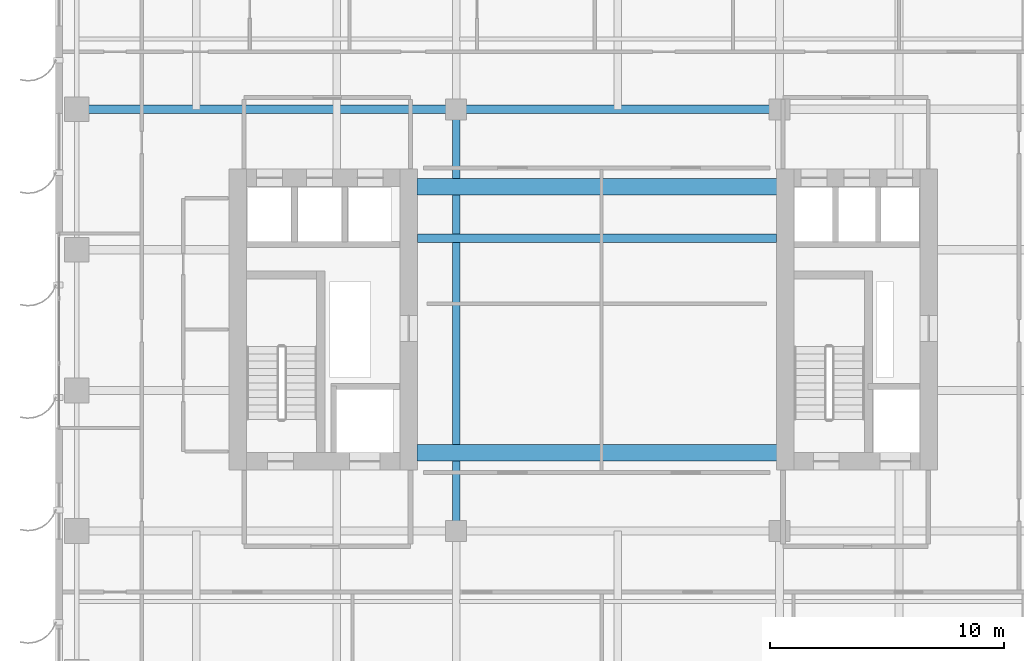
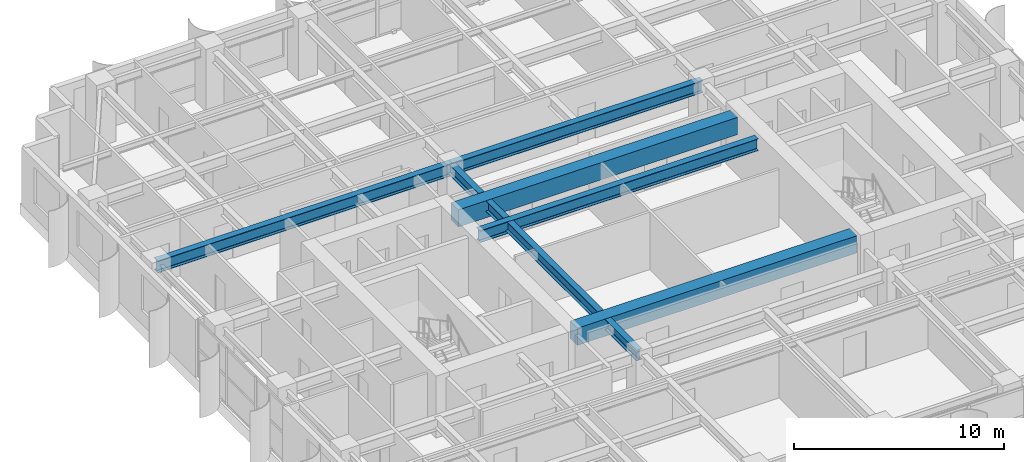
# One storey, part 8 of 23: 6 beams.
"""IFC4 building model written with IfcOpenShell, lengths in metres."""

from ifc_helpers import new_model, si_unit, direction, frame, origin, origin_2d, place, context, subcontext, project, spatial, rectangle, i_section, extrude, source, transform, mapped, material, material_profile, profile_set, type_object, element, save


model = new_model("IFC4")

# Units and contexts
model_context = context("Model", 3, precision=1e-05, world=origin(), true_north=direction((0.0, 1.0)))
body_context = subcontext(model_context, "Body", "Model", "MODEL_VIEW")
ifc_project = project(units=[si_unit("LENGTHUNIT", "METRE"), si_unit("AREAUNIT", "SQUARE_METRE"), si_unit("VOLUMEUNIT", "CUBIC_METRE"), si_unit("PLANEANGLEUNIT", "RADIAN"), si_unit("MASSUNIT", "GRAM", prefix="KILO")], contexts=[model_context])

# Site, building, storey
site_placement = place(None, origin())
site = spatial("IfcSite", under=ifc_project, at=site_placement, CompositionType="ELEMENT")
building_placement = place(site_placement, origin())
building = spatial("IfcBuilding", under=site, at=building_placement, Name="Khoralis Quay Care Tower", CompositionType="ELEMENT")
storey_placement = place(building_placement, frame((0.0, 0.0, 83.699951171875)))
storey = spatial("IfcBuildingStorey", under=building, at=storey_placement, Name="L21", CompositionType="ELEMENT", Elevation=83.699951171875)

# Beams
ifc_material_1 = material(Name="Concrete C80/95", Category="concrete")
ifc_material_profile_1 = material_profile(ifc_material_1, rectangle(XDim=0.699951171875, YDim=1.0, at=origin_2d()), Name="Concrete C80/95")
ifc_profile_set_1 = profile_set([ifc_material_profile_1], Name="Concrete C80/95")
beam_type_1 = type_object("IfcBeamType", Name="CB-RC700X1000", PredefinedType="LINTEL", material=ifc_profile_set_1)
shared_shape_1 = source(origin(), body_context, "Body", "SweptSolid", [
    extrude(rectangle(XDim=0.699951171875, YDim=1.0, at=origin_2d()), origin(), (0.0, 0.0, 1.0), 15.380126953125),
])
for number, where, z_axis, x_axis, name in (
    (1, (15.419921875, 15.35009765625, 2.840087890625), (1.0, 0.0, 0.0), (0.0, 1.0, 0.0), "L21 South Core Coupling Lintel"),
    (2, (15.419921875, 26.699951171875, 2.840087890625), (1.0, 0.0, 0.0), (0.0, 1.0, 0.0), "L21 North Core Coupling Lintel"),
):
    element("IfcBeam", number, at=place(storey_placement, frame(where, z_axis=z_axis, x_axis=x_axis)), inside=storey, type_object=beam_type_1, Name=name, PredefinedType="LINTEL", context=body_context, shape_type="MappedRepresentation", body=[
        mapped(shared_shape_1, transform((0.0, 0.0, 0.0), scale=1.0)),
    ])
ifc_material_2 = material(Name="Steel S355", Category="steel")
ifc_material_profile_2 = material_profile(ifc_material_2, i_section(OverallWidth=0.35498046875, OverallDepth=0.695068359375, WebThickness=0.015380859375, FlangeThickness=0.02490234375, FilletRadius=0.02001953125, at=origin_2d()), Name="Steel S355")
ifc_profile_set_2 = profile_set([ifc_material_profile_2], Name="Steel S355")
beam_type_2 = type_object("IfcBeamType", Name="BM-W690X217", PredefinedType="BEAM", material=ifc_profile_set_2)
shared_shape_2 = source(origin(), body_context, "Body", "SweptSolid", [
    extrude(i_section(OverallWidth=0.35498046875, OverallDepth=0.695068359375, WebThickness=0.015380859375, FlangeThickness=0.02490234375, FilletRadius=0.02001953125, at=origin_2d()), origin(), (0.0, 0.0, 1.0), 16.2001953125),
])
beam_1_placement = place(storey_placement, frame((0.89990234375, 30.0, 2.992431640625), z_axis=(1.0, 0.0, 0.0), x_axis=(0.0, 1.0, 0.0)))
element("IfcBeam", 3, at=beam_1_placement, inside=storey, type_object=beam_type_2, Name="BM-TGXW-L21-300", PredefinedType="BEAM", context=body_context, shape_type="MappedRepresentation", body=[
    mapped(shared_shape_2, transform((0.0, 0.0, 0.0), scale=1.0)),
])
shared_shape_3 = source(origin(), body_context, "Body", "SweptSolid", [
    extrude(i_section(OverallWidth=0.35498046875, OverallDepth=0.695068359375, WebThickness=0.015380859375, FlangeThickness=0.02490234375, FilletRadius=0.02001953125, at=origin_2d()), origin(), (0.0, 0.0, 1.0), 13.7998046875),
])
beam_2_placement = place(storey_placement, frame((17.10009765625, 30.0, 2.992431640625), z_axis=(1.0, 0.0, 0.0), x_axis=(0.0, 1.0, 0.0)))
element("IfcBeam", 4, at=beam_2_placement, inside=storey, type_object=beam_type_2, Name="BM-TGCC-L21-300", PredefinedType="BEAM", context=body_context, shape_type="MappedRepresentation", body=[
    mapped(shared_shape_3, transform((0.0, 0.0, 0.0), scale=1.0)),
])
ifc_material_profile_3 = material_profile(ifc_material_2, i_section(OverallWidth=0.324951171875, OverallDepth=0.615966796875, WebThickness=0.013916015625, FlangeThickness=0.021484375, FilletRadius=0.01806640625, at=origin_2d()), Name="Steel S355")
ifc_profile_set_3 = profile_set([ifc_material_profile_3], Name="Steel S355")
beam_type_3 = type_object("IfcBeamType", Name="BM-W610X174", PredefinedType="BEAM", material=ifc_profile_set_3)
shared_shape_4 = source(origin(), body_context, "Body", "SweptSolid", [
    extrude(i_section(OverallWidth=0.324951171875, OverallDepth=0.615966796875, WebThickness=0.013916015625, FlangeThickness=0.021484375, FilletRadius=0.01806640625, at=origin_2d()), origin(), (0.0, 0.0, 1.0), 18.0),
])
beam_3_placement = place(storey_placement, frame((17.10009765625, 12.0, 3.031982421875), z_axis=(0.0, 1.0, 0.0), x_axis=(-1.0, 0.0, 0.0)))
element("IfcBeam", 5, at=beam_3_placement, inside=storey, type_object=beam_type_3, Name="BM-TGSW-L21", PredefinedType="BEAM", context=body_context, shape_type="MappedRepresentation", body=[
    mapped(shared_shape_4, transform((0.0, 0.0, 0.0), scale=1.0)),
])
shared_shape_5 = source(origin(), body_context, "Body", "SweptSolid", [
    extrude(i_section(OverallWidth=0.35498046875, OverallDepth=0.695068359375, WebThickness=0.015380859375, FlangeThickness=0.02490234375, FilletRadius=0.02001953125, at=origin_2d()), origin(), (0.0, 0.0, 1.0), 15.323974609375),
])
beam_4_placement = place(storey_placement, frame((15.447998046875, 24.5, 2.992431640625), z_axis=(1.0, 0.0, 0.0), x_axis=(0.0, 1.0, 0.0)))
element("IfcBeam", 6, at=beam_4_placement, inside=storey, type_object=beam_type_2, Name="BM-TGCC-L21-245", PredefinedType="BEAM", context=body_context, shape_type="MappedRepresentation", body=[
    mapped(shared_shape_5, transform((0.0, 0.0, 0.0), scale=1.0)),
])

save(model, "model.ifc")
